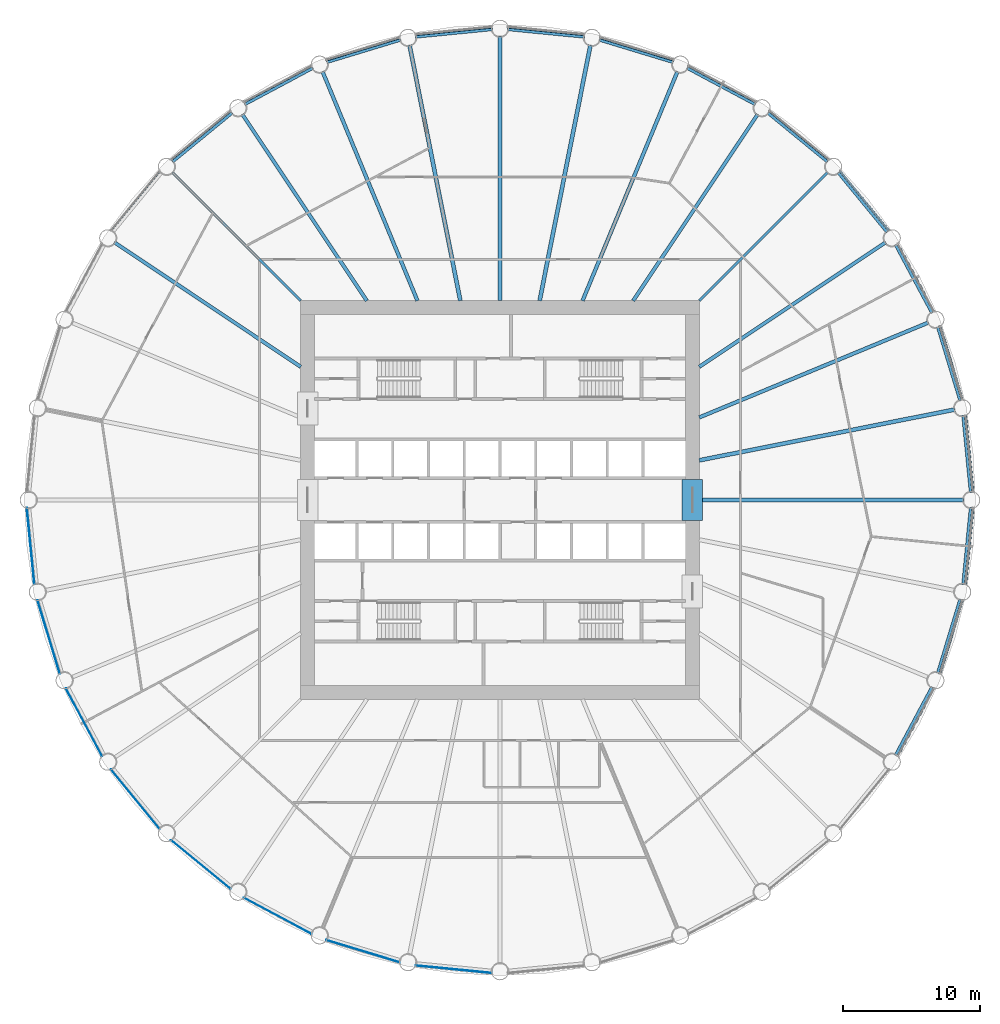
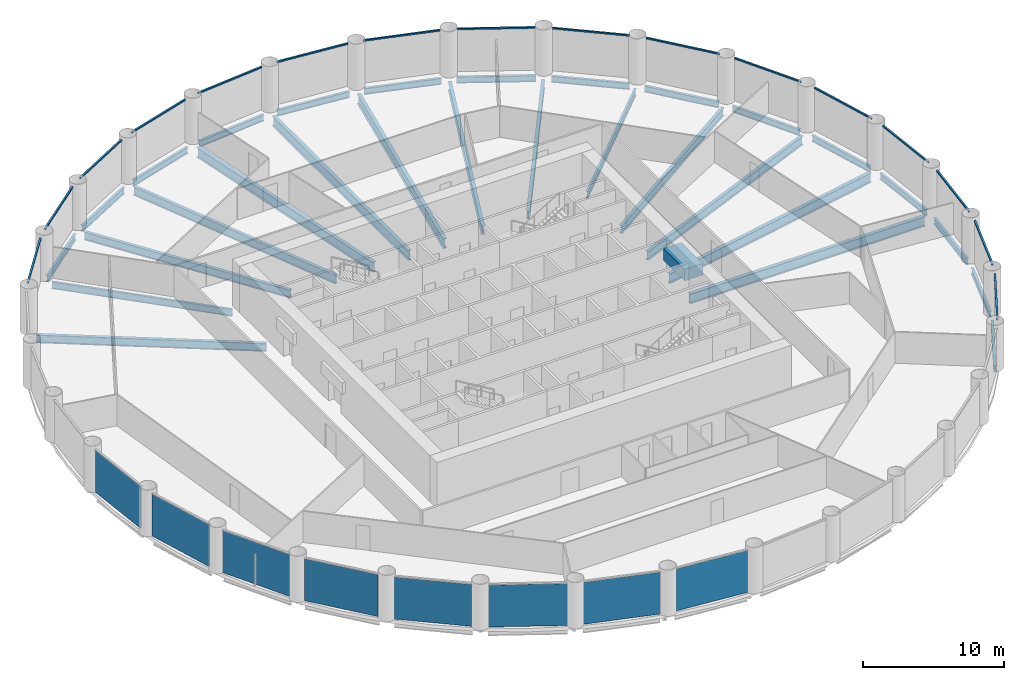
# One storey, part 2 of 8: 30 beams, 16 members, 8 plates, 24 elements without a shape of their own.
"""IFC4 building model written with IfcOpenShell, lengths in metres."""

from ifc_helpers import new_model, si_unit, direction, frame, origin, origin_2d, place, context, subcontext, project, spatial, rectangle, i_section, extrude, material, layer, layer_set, material_profile, profile_set, type_object, element, aggregate, save


model = new_model("IFC4")

# Units and contexts
model_context = context("Model", 3, precision=1e-05, world=origin(), true_north=direction((0.0, 1.0)))
body_context = subcontext(model_context, "Body", "Model", "MODEL_VIEW")
ifc_project = project(units=[si_unit("LENGTHUNIT", "METRE"), si_unit("AREAUNIT", "SQUARE_METRE"), si_unit("VOLUMEUNIT", "CUBIC_METRE"), si_unit("PLANEANGLEUNIT", "RADIAN"), si_unit("MASSUNIT", "GRAM", prefix="KILO")], contexts=[model_context])

# Site, building, storey
site_placement = place(None, origin())
site = spatial("IfcSite", under=ifc_project, at=site_placement, CompositionType="ELEMENT")
building_placement = place(site_placement, origin())
building = spatial("IfcBuilding", under=site, at=building_placement, Name="Corvane Civic Tower", CompositionType="ELEMENT")
storey_placement = place(building_placement, frame((0.0, 0.0, 110.5)))
storey = spatial("IfcBuildingStorey", under=building, at=storey_placement, Name="L25", CompositionType="ELEMENT", Elevation=110.5)

# Beams
ifc_material_1 = material(Name="Concrete C70/85", Category="concrete")
ifc_material_profile_1 = material_profile(ifc_material_1, rectangle(XDim=1.5, YDim=1.0, at=origin_2d()), Name="COUPLING BEAM 1500X1000")
ifc_profile_set_1 = profile_set([ifc_material_profile_1], Name="Concrete C70/85")
beam_type_1 = type_object("IfcBeamType", Name="COUPLING BEAM COUPLING BEAM 1500X1000", PredefinedType="BEAM", material=ifc_profile_set_1)
beam_1_placement = place(storey_placement, frame((14.0, -1.5, 2.60009765625), z_axis=(0.0, 1.0, 0.0), x_axis=(-1.0, 0.0, 0.0)))
element("IfcBeam", 1, at=beam_1_placement, inside=storey, type_object=beam_type_1, Name="BM-L25-cpl-CW-LE", PredefinedType="BEAM", context=body_context, shape_type="SweptSolid", body=[
    extrude(rectangle(XDim=1.5, YDim=1.0, at=origin_2d()), origin(), (0.0, 0.0, 1.0), 3.0),
])
ifc_material_2 = material(Name="Steel ASTM A992 Gr 50", Category="steel")
ifc_material_profile_2 = material_profile(ifc_material_2, i_section(OverallWidth=0.209228515625, OverallDepth=0.533447265625, WebThickness=0.01025390625, FlangeThickness=0.015625, at=origin_2d()), Name="W21X62")
ifc_profile_set_2 = profile_set([ifc_material_profile_2], Name="Steel ASTM A992 Gr 50")
beam_type_2 = type_object("IfcBeamType", Name="EDGE BEAM W21X62", PredefinedType="BEAM", material=ifc_profile_set_2)
beam_2_placement = place(storey_placement, frame((0.54736328125, 34.24609375, -0.566650390625), z_axis=(0.995184368522, -0.098020776625, 0.0), x_axis=(0.098020776625, 0.995184368522, 0.0)))
element("IfcBeam", 2, at=beam_2_placement, inside=storey, type_object=beam_type_2, Name="BM-L25-E01", PredefinedType="BEAM", context=body_context, shape_type="SweptSolid", body=[
    extrude(i_section(OverallWidth=0.209228515625, OverallDepth=0.533447265625, WebThickness=0.01025390625, FlangeThickness=0.015625, at=origin_2d()), origin(), (0.0, 0.0, 1.0), 5.6240234375),
])
beam_3_placement = place(storey_placement, frame((7.218017578125, 33.481201171875, -0.566650390625), z_axis=(0.956936367498, -0.290297758448, 0.0), x_axis=(0.290297758448, 0.956936367498, 0.0)))
element("IfcBeam", 3, at=beam_3_placement, inside=storey, type_object=beam_type_2, Name="BM-L25-E02", PredefinedType="BEAM", context=body_context, shape_type="SweptSolid", body=[
    extrude(i_section(OverallWidth=0.209228515625, OverallDepth=0.533447265625, WebThickness=0.01025390625, FlangeThickness=0.015625, at=origin_2d()), origin(), (0.0, 0.0, 1.0), 5.623779296875),
])
for number, where, z_axis, x_axis, name in (
    (4, (13.611083984375, 31.4296875, -0.566650390625), (0.88192357867, -0.471392407008, 0.0), (0.471392407008, 0.88192357867, 0.0), "BM-L25-E03"),
    (5, (19.481201171875, 28.17041015625, -0.566650390625), (0.773006775372, -0.634397765782, 0.0), (0.634397765782, 0.773006775372, 0.0), "BM-L25-E04"),
    (6, (24.6025390625, 23.82861328125, -0.566650390625), (0.634397765782, -0.773006775372, 0.0), (0.773006775372, 0.634397765782, 0.0), "BM-L25-E05"),
    (7, (28.778564453125, 18.571044921875, -0.566650390625), (0.471392407008, -0.88192357867, 0.0), (0.88192357867, 0.471392407008, 0.0), "BM-L25-E06"),
):
    element("IfcBeam", number, at=place(storey_placement, frame(where, z_axis=z_axis, x_axis=x_axis)), inside=storey, type_object=beam_type_2, Name=name, PredefinedType="BEAM", context=body_context, shape_type="SweptSolid", body=[
        extrude(i_section(OverallWidth=0.209228515625, OverallDepth=0.533447265625, WebThickness=0.01025390625, FlangeThickness=0.015625, at=origin_2d()), origin(), (0.0, 0.0, 1.0), 5.6240234375),
    ])
beam_4_placement = place(storey_placement, frame((31.8486328125, 12.599609375, -0.566650390625), z_axis=(0.290297758448, -0.956936367498, 0.0), x_axis=(0.956936367498, 0.290297758448, 0.0)))
element("IfcBeam", 8, at=beam_4_placement, inside=storey, type_object=beam_type_2, Name="BM-L25-E07", PredefinedType="BEAM", context=body_context, shape_type="SweptSolid", body=[
    extrude(i_section(OverallWidth=0.209228515625, OverallDepth=0.533447265625, WebThickness=0.01025390625, FlangeThickness=0.015625, at=origin_2d()), origin(), (0.0, 0.0, 1.0), 5.623779296875),
])
for number, where, z_axis, x_axis, name in (
    (9, (33.69482421875, 6.144287109375, -0.566650390625), (0.098020776625, -0.995184368522, 0.0), (0.995184368522, 0.098020776625, 0.0), "BM-L25-E08"),
    (10, (34.24609375, -0.54736328125, -0.566650390625), (-0.098020776625, -0.995184368522, 0.0), (0.995184368522, -0.098020776625, 0.0), "BM-L25-E09"),
):
    element("IfcBeam", number, at=place(storey_placement, frame(where, z_axis=z_axis, x_axis=x_axis)), inside=storey, type_object=beam_type_2, Name=name, PredefinedType="BEAM", context=body_context, shape_type="SweptSolid", body=[
        extrude(i_section(OverallWidth=0.209228515625, OverallDepth=0.533447265625, WebThickness=0.01025390625, FlangeThickness=0.015625, at=origin_2d()), origin(), (0.0, 0.0, 1.0), 5.6240234375),
    ])
beam_5_placement = place(storey_placement, frame((33.481201171875, -7.218017578125, -0.566650390625), z_axis=(-0.290297758448, -0.956936367498, 0.0), x_axis=(0.956936367498, -0.290297758448, 0.0)))
element("IfcBeam", 11, at=beam_5_placement, inside=storey, type_object=beam_type_2, Name="BM-L25-E10", PredefinedType="BEAM", context=body_context, shape_type="SweptSolid", body=[
    extrude(i_section(OverallWidth=0.209228515625, OverallDepth=0.533447265625, WebThickness=0.01025390625, FlangeThickness=0.015625, at=origin_2d()), origin(), (0.0, 0.0, 1.0), 5.623779296875),
])
for number, where, z_axis, x_axis, name in (
    (12, (31.4296875, -13.611083984375, -0.566650390625), (-0.471392407008, -0.88192357867, 0.0), (0.88192357867, -0.471392407008, 0.0), "BM-L25-E11"),
    (13, (-23.82861328125, 24.6025390625, -0.566650390625), (0.773006775372, 0.634397765782, 0.0), (-0.634397765782, 0.773006775372, 0.0), "BM-L25-E29"),
    (14, (-18.571044921875, 28.778564453125, -0.566650390625), (0.88192357867, 0.471392407008, 0.0), (-0.471392407008, 0.88192357867, 0.0), "BM-L25-E30"),
):
    element("IfcBeam", number, at=place(storey_placement, frame(where, z_axis=z_axis, x_axis=x_axis)), inside=storey, type_object=beam_type_2, Name=name, PredefinedType="BEAM", context=body_context, shape_type="SweptSolid", body=[
        extrude(i_section(OverallWidth=0.209228515625, OverallDepth=0.533447265625, WebThickness=0.01025390625, FlangeThickness=0.015625, at=origin_2d()), origin(), (0.0, 0.0, 1.0), 5.6240234375),
    ])
beam_6_placement = place(storey_placement, frame((-12.599609375, 31.8486328125, -0.566650390625), z_axis=(0.956936367498, 0.290297758448, 0.0), x_axis=(-0.290297758448, 0.956936367498, 0.0)))
element("IfcBeam", 15, at=beam_6_placement, inside=storey, type_object=beam_type_2, Name="BM-L25-E31", PredefinedType="BEAM", context=body_context, shape_type="SweptSolid", body=[
    extrude(i_section(OverallWidth=0.209228515625, OverallDepth=0.533447265625, WebThickness=0.01025390625, FlangeThickness=0.015625, at=origin_2d()), origin(), (0.0, 0.0, 1.0), 5.623779296875),
])
beam_7_placement = place(storey_placement, frame((-6.144287109375, 33.69482421875, -0.566650390625), z_axis=(0.995184368522, 0.098020776625, 0.0), x_axis=(-0.098020776625, 0.995184368522, 0.0)))
element("IfcBeam", 16, at=beam_7_placement, inside=storey, type_object=beam_type_2, Name="BM-L25-E32", PredefinedType="BEAM", context=body_context, shape_type="SweptSolid", body=[
    extrude(i_section(OverallWidth=0.209228515625, OverallDepth=0.533447265625, WebThickness=0.01025390625, FlangeThickness=0.015625, at=origin_2d()), origin(), (0.0, 0.0, 1.0), 5.6240234375),
])
ifc_material_3 = material(Name="Steel ASTM A992 Gr 50", Category="steel")
ifc_material_profile_3 = material_profile(ifc_material_3, i_section(OverallWidth=0.177978515625, OverallDepth=0.599365234375, WebThickness=0.010009765625, FlangeThickness=0.012939453125, at=origin_2d()), Name="W24X55")
ifc_profile_set_3 = profile_set([ifc_material_profile_3], Name="Steel ASTM A992 Gr 50")
beam_type_3 = type_object("IfcBeamType", Name="FLOOR GIRDER W24X55", PredefinedType="BEAM", material=ifc_profile_set_3)
for number, where, z_axis, x_axis, name in (
    (17, (14.5, 14.5, -0.599609375), (0.707106781187, 0.707106781187, 0.0), (-0.707106781187, 0.707106781187, 0.0), "BM-L25-G05"),
    (18, (-14.5, 14.5, -0.599609375), (-0.707106781187, 0.707106781187, 0.0), (-0.707106781187, -0.707106781187, 0.0), "BM-L25-G29"),
):
    element("IfcBeam", number, at=place(storey_placement, frame(where, z_axis=z_axis, x_axis=x_axis)), inside=storey, type_object=beam_type_3, Name=name, PredefinedType="BEAM", context=body_context, shape_type="SweptSolid", body=[
        extrude(i_section(OverallWidth=0.177978515625, OverallDepth=0.599365234375, WebThickness=0.010009765625, FlangeThickness=0.012939453125, at=origin_2d()), origin(), (0.0, 0.0, 1.0), 13.24365234375),
    ])
ifc_material_4 = material(Name="Steel ASTM A992 Gr 50", Category="steel")
ifc_material_profile_4 = material_profile(ifc_material_4, i_section(OverallWidth=0.256591796875, OverallDepth=0.693359375, WebThickness=0.014404296875, FlangeThickness=0.023681640625, at=origin_2d()), Name="W27X114")
ifc_profile_set_4 = profile_set([ifc_material_profile_4], Name="Steel ASTM A992 Gr 50")
beam_type_4 = type_object("IfcBeamType", Name="FLOOR GIRDER W27X114", PredefinedType="BEAM", material=ifc_profile_set_4)
for number, where, z_axis, x_axis, name in (
    (19, (9.6884765625, 14.5, -0.646728515625), (0.555577235054, 0.83146493365, 0.0), (-0.83146493365, 0.555577235054, 0.0), "BM-L25-G04"),
    (20, (14.5, 9.6884765625, -0.646728515625), (0.83146493365, 0.555577235054, 0.0), (-0.555577235054, 0.83146493365, 0.0), "BM-L25-G06"),
    (21, (-14.5, 9.6884765625, -0.646728515625), (-0.83146493365, 0.555577235054, 0.0), (-0.555577235054, -0.83146493365, 0.0), "BM-L25-G28"),
    (22, (-9.6884765625, 14.5, -0.646728515625), (-0.555577235054, 0.83146493365, 0.0), (-0.83146493365, -0.555577235054, 0.0), "BM-L25-G30"),
):
    element("IfcBeam", number, at=place(storey_placement, frame(where, z_axis=z_axis, x_axis=x_axis)), inside=storey, type_object=beam_type_4, Name=name, PredefinedType="BEAM", context=body_context, shape_type="SweptSolid", body=[
        extrude(i_section(OverallWidth=0.256591796875, OverallDepth=0.693359375, WebThickness=0.014404296875, FlangeThickness=0.023681640625, at=origin_2d()), origin(), (0.0, 0.0, 1.0), 16.31103515625),
    ])
ifc_material_5 = material(Name="Steel ASTM A992 Gr 50", Category="steel")
ifc_material_profile_5 = material_profile(ifc_material_5, i_section(OverallWidth=0.2666015625, OverallDepth=0.7568359375, WebThickness=0.013916015625, FlangeThickness=0.019287109375, at=origin_2d()), Name="W30X108")
ifc_profile_set_5 = profile_set([ifc_material_profile_5], Name="Steel ASTM A992 Gr 50")
beam_type_5 = type_object("IfcBeamType", Name="FLOOR GIRDER W30X108", PredefinedType="BEAM", material=ifc_profile_set_5)
for number, where, z_axis, x_axis, name in (
    (23, (6.006103515625, 14.5, -0.678466796875), (0.382681797504, 0.923880209691, 0.0), (-0.923880209691, 0.382681797504, 0.0), "BM-L25-G03"),
    (24, (14.5, 6.006103515625, -0.678466796875), (0.923880209691, 0.382681797504, 0.0), (-0.382681797504, 0.923880209691, 0.0), "BM-L25-G07"),
    (25, (-6.006103515625, 14.5, -0.678466796875), (-0.382681797504, 0.923880209691, 0.0), (-0.923880209691, -0.382681797504, 0.0), "BM-L25-G31"),
):
    element("IfcBeam", number, at=place(storey_placement, frame(where, z_axis=z_axis, x_axis=x_axis)), inside=storey, type_object=beam_type_5, Name=name, PredefinedType="BEAM", context=body_context, shape_type="SweptSolid", body=[
        extrude(i_section(OverallWidth=0.2666015625, OverallDepth=0.7568359375, WebThickness=0.013916015625, FlangeThickness=0.019287109375, at=origin_2d()), origin(), (0.0, 0.0, 1.0), 18.05517578125),
    ])
ifc_material_6 = material(Name="Steel ASTM A992 Gr 50", Category="steel")
ifc_material_profile_6 = material_profile(ifc_material_6, i_section(OverallWidth=0.2919921875, OverallDepth=0.8583984375, WebThickness=0.01708984375, FlangeThickness=0.031005859375, at=origin_2d()), Name="W33X169")
ifc_profile_set_6 = profile_set([ifc_material_profile_6], Name="Steel ASTM A992 Gr 50")
beam_type_6 = type_object("IfcBeamType", Name="FLOOR GIRDER W33X169", PredefinedType="BEAM", material=ifc_profile_set_6)
beam_8_placement = place(storey_placement, frame((0.0, 14.5, -0.729248046875), z_axis=(0.0, 1.0, 0.0), x_axis=(-1.0, 0.0, 0.0)))
element("IfcBeam", 26, at=beam_8_placement, inside=storey, type_object=beam_type_6, Name="BM-L25-G01", PredefinedType="BEAM", context=body_context, shape_type="SweptSolid", body=[
    extrude(i_section(OverallWidth=0.2919921875, OverallDepth=0.8583984375, WebThickness=0.01708984375, FlangeThickness=0.031005859375, at=origin_2d()), origin(), (0.0, 0.0, 1.0), 19.25),
])
for number, where, z_axis, x_axis, name in (
    (27, (2.88427734375, 14.5, -0.729248046875), (0.195083745652, 0.9807865885, 0.0), (-0.9807865885, 0.195083745652, 0.0), "BM-L25-G02"),
    (28, (14.5, 2.88427734375, -0.729248046875), (0.9807865885, 0.195083745652, 0.0), (-0.195083745652, 0.9807865885, 0.0), "BM-L25-G08"),
):
    element("IfcBeam", number, at=place(storey_placement, frame(where, z_axis=z_axis, x_axis=x_axis)), inside=storey, type_object=beam_type_6, Name=name, PredefinedType="BEAM", context=body_context, shape_type="SweptSolid", body=[
        extrude(i_section(OverallWidth=0.2919921875, OverallDepth=0.8583984375, WebThickness=0.01708984375, FlangeThickness=0.031005859375, at=origin_2d()), origin(), (0.0, 0.0, 1.0), 18.966064453125),
    ])
beam_9_placement = place(storey_placement, frame((14.5, 0.0, -0.729248046875), z_axis=(1.0, 0.0, 0.0), x_axis=(0.0, 1.0, 0.0)))
element("IfcBeam", 29, at=beam_9_placement, inside=storey, type_object=beam_type_6, Name="BM-L25-G09", PredefinedType="BEAM", context=body_context, shape_type="SweptSolid", body=[
    extrude(i_section(OverallWidth=0.2919921875, OverallDepth=0.8583984375, WebThickness=0.01708984375, FlangeThickness=0.031005859375, at=origin_2d()), origin(), (0.0, 0.0, 1.0), 19.25),
])
beam_10_placement = place(storey_placement, frame((-2.88427734375, 14.5, -0.729248046875), z_axis=(-0.195083745652, 0.9807865885, 0.0), x_axis=(-0.9807865885, -0.195083745652, 0.0)))
element("IfcBeam", 30, at=beam_10_placement, inside=storey, type_object=beam_type_6, Name="BM-L25-G32", PredefinedType="BEAM", context=body_context, shape_type="SweptSolid", body=[
    extrude(i_section(OverallWidth=0.2919921875, OverallDepth=0.8583984375, WebThickness=0.01708984375, FlangeThickness=0.031005859375, at=origin_2d()), origin(), (0.0, 0.0, 1.0), 18.966064453125),
])

# Curtain wall, member
ifc_material_7 = material(Name="Anodised aluminium bronze", Category="aluminium")
curtain_wall_type = type_object("IfcCurtainWallType", Name="TOWER CW-T1 STICK CURTAIN WALL", PredefinedType="NOTDEFINED", material=ifc_material_7)
curtain_wall_1_placement = place(storey_placement, origin())
curtain_wall_1 = element("IfcCurtainWall", 31, at=curtain_wall_1_placement, inside=storey, type_object=curtain_wall_type, Name="Curtain wall CW-T1 L25 bay 01", PredefinedType="NOTDEFINED")
ifc_material_8 = material(Name="Anodised aluminium bronze", Category="aluminium")
ifc_material_profile_7 = material_profile(ifc_material_8, rectangle(XDim=0.139892578125, YDim=0.1201171875, at=origin_2d()), Name="TOWER CW-T1 TRANSOM 140x120")
ifc_profile_set_7 = profile_set([ifc_material_profile_7], Name="Anodised aluminium bronze")
member_type = type_object("IfcMemberType", Name="TOWER CW-T1 TRANSOM 140x120", PredefinedType="USERDEFINED", material=ifc_profile_set_7)
member_1_placement = place(storey_placement, frame((0.58349609375, 34.422607421875, 3.68994140625), z_axis=(0.995179807033, -0.098067077419, 0.0), x_axis=(0.098067077419, 0.995179807033, 0.0)))
member_1 = element("IfcMember", 32, at=member_1_placement, type_object=member_type, Name="Transom CW-T1 L25 01.1", ObjectType="TRANSOM", PredefinedType="USERDEFINED", context=body_context, shape_type="SweptSolid", body=[
    extrude(rectangle(XDim=0.139892578125, YDim=0.1201171875, at=origin_2d()), origin(), (0.0, 0.0, 1.0), 5.58642578125),
])
aggregate(curtain_wall_1, [member_1])

curtain_wall_2_placement = place(storey_placement, origin())
curtain_wall_2 = element("IfcCurtainWall", 33, at=curtain_wall_2_placement, inside=storey, type_object=curtain_wall_type, Name="Curtain wall CW-T1 L25 bay 02", PredefinedType="NOTDEFINED")
member_2_placement = place(storey_placement, frame((7.287841796875, 33.647216796875, 3.68994140625), z_axis=(0.956944977029, -0.290269376509, 0.0), x_axis=(0.290269376509, 0.956944977029, 0.0)))
member_2 = element("IfcMember", 34, at=member_2_placement, type_object=member_type, Name="Transom CW-T1 L25 02.1", ObjectType="TRANSOM", PredefinedType="USERDEFINED", context=body_context, shape_type="SweptSolid", body=[
    extrude(rectangle(XDim=0.139892578125, YDim=0.1201171875, at=origin_2d()), origin(), (0.0, 0.0, 1.0), 5.58642578125),
])
aggregate(curtain_wall_2, [member_2])

curtain_wall_3_placement = place(storey_placement, origin())
curtain_wall_3 = element("IfcCurtainWall", 35, at=curtain_wall_3_placement, inside=storey, type_object=curtain_wall_type, Name="Curtain wall CW-T1 L25 bay 03", PredefinedType="NOTDEFINED")
member_3_placement = place(storey_placement, frame((13.712158203125, 31.5791015625, 3.68994140625), z_axis=(0.881920705407, -0.47139778253, 0.0), x_axis=(0.47139778253, 0.881920705407, 0.0)))
member_3 = element("IfcMember", 36, at=member_3_placement, type_object=member_type, Name="Transom CW-T1 L25 03.1", ObjectType="TRANSOM", PredefinedType="USERDEFINED", context=body_context, shape_type="SweptSolid", body=[
    extrude(rectangle(XDim=0.139892578125, YDim=0.1201171875, at=origin_2d()), origin(), (0.0, 0.0, 1.0), 5.586669921875),
])
aggregate(curtain_wall_3, [member_3])

curtain_wall_4_placement = place(storey_placement, origin())
curtain_wall_4 = element("IfcCurtainWall", 37, at=curtain_wall_4_placement, inside=storey, type_object=curtain_wall_type, Name="Curtain wall CW-T1 L25 bay 04", PredefinedType="NOTDEFINED")
member_4_placement = place(storey_placement, frame((19.609619140625, 28.297119140625, 3.68994140625), z_axis=(0.772996431642, -0.634410369295, 0.0), x_axis=(0.634410369295, 0.772996431642, 0.0)))
member_4 = element("IfcMember", 38, at=member_4_placement, type_object=member_type, Name="Transom CW-T1 L25 04.1", ObjectType="TRANSOM", PredefinedType="USERDEFINED", context=body_context, shape_type="SweptSolid", body=[
    extrude(rectangle(XDim=0.139892578125, YDim=0.1201171875, at=origin_2d()), origin(), (0.0, 0.0, 1.0), 5.586181640625),
])
aggregate(curtain_wall_4, [member_4])

curtain_wall_5_placement = place(storey_placement, origin())
curtain_wall_5 = element("IfcCurtainWall", 39, at=curtain_wall_5_placement, inside=storey, type_object=curtain_wall_type, Name="Curtain wall CW-T1 L25 bay 05", PredefinedType="NOTDEFINED")
member_5_placement = place(storey_placement, frame((24.753173828125, 23.927734375, 3.68994140625), z_axis=(0.634410369295, -0.772996431642, 0.0), x_axis=(0.772996431642, 0.634410369295, 0.0)))
member_5 = element("IfcMember", 40, at=member_5_placement, type_object=member_type, Name="Transom CW-T1 L25 05.1", ObjectType="TRANSOM", PredefinedType="USERDEFINED", context=body_context, shape_type="SweptSolid", body=[
    extrude(rectangle(XDim=0.139892578125, YDim=0.1201171875, at=origin_2d()), origin(), (0.0, 0.0, 1.0), 5.586181640625),
])
aggregate(curtain_wall_5, [member_5])

curtain_wall_6_placement = place(storey_placement, origin())
curtain_wall_6 = element("IfcCurtainWall", 41, at=curtain_wall_6_placement, inside=storey, type_object=curtain_wall_type, Name="Curtain wall CW-T1 L25 bay 06", PredefinedType="NOTDEFINED")
member_6_placement = place(storey_placement, frame((28.945556640625, 18.63916015625, 3.68994140625), z_axis=(0.47139778253, -0.881920705407, 0.0), x_axis=(0.881920705407, 0.47139778253, 0.0)))
member_6 = element("IfcMember", 42, at=member_6_placement, type_object=member_type, Name="Transom CW-T1 L25 06.1", ObjectType="TRANSOM", PredefinedType="USERDEFINED", context=body_context, shape_type="SweptSolid", body=[
    extrude(rectangle(XDim=0.139892578125, YDim=0.1201171875, at=origin_2d()), origin(), (0.0, 0.0, 1.0), 5.586669921875),
])
aggregate(curtain_wall_6, [member_6])

curtain_wall_7_placement = place(storey_placement, origin())
curtain_wall_7 = element("IfcCurtainWall", 43, at=curtain_wall_7_placement, inside=storey, type_object=curtain_wall_type, Name="Curtain wall CW-T1 L25 bay 07", PredefinedType="NOTDEFINED")
member_7_placement = place(storey_placement, frame((32.025634765625, 12.6337890625, 3.68994140625), z_axis=(0.290269376509, -0.956944977029, 0.0), x_axis=(0.956944977029, 0.290269376509, 0.0)))
member_7 = element("IfcMember", 44, at=member_7_placement, type_object=member_type, Name="Transom CW-T1 L25 07.1", ObjectType="TRANSOM", PredefinedType="USERDEFINED", context=body_context, shape_type="SweptSolid", body=[
    extrude(rectangle(XDim=0.139892578125, YDim=0.1201171875, at=origin_2d()), origin(), (0.0, 0.0, 1.0), 5.58642578125),
])
aggregate(curtain_wall_7, [member_7])

curtain_wall_8_placement = place(storey_placement, origin())
curtain_wall_8 = element("IfcCurtainWall", 45, at=curtain_wall_8_placement, inside=storey, type_object=curtain_wall_type, Name="Curtain wall CW-T1 L25 bay 08", PredefinedType="NOTDEFINED")
member_8_placement = place(storey_placement, frame((33.874755859375, 6.14306640625, 3.68994140625), z_axis=(0.098067077419, -0.995179807033, 0.0), x_axis=(0.995179807033, 0.098067077419, 0.0)))
member_8 = element("IfcMember", 46, at=member_8_placement, type_object=member_type, Name="Transom CW-T1 L25 08.1", ObjectType="TRANSOM", PredefinedType="USERDEFINED", context=body_context, shape_type="SweptSolid", body=[
    extrude(rectangle(XDim=0.139892578125, YDim=0.1201171875, at=origin_2d()), origin(), (0.0, 0.0, 1.0), 5.58642578125),
])
aggregate(curtain_wall_8, [member_8])

curtain_wall_9_placement = place(storey_placement, origin())
curtain_wall_9 = element("IfcCurtainWall", 47, at=curtain_wall_9_placement, inside=storey, type_object=curtain_wall_type, Name="Curtain wall CW-T1 L25 bay 09", PredefinedType="NOTDEFINED")
member_9_placement = place(storey_placement, frame((34.422607421875, -0.58349609375, 3.68994140625), z_axis=(-0.098067077419, -0.995179807033, 0.0), x_axis=(0.995179807033, -0.098067077419, 0.0)))
member_9 = element("IfcMember", 48, at=member_9_placement, type_object=member_type, Name="Transom CW-T1 L25 09.1", ObjectType="TRANSOM", PredefinedType="USERDEFINED", context=body_context, shape_type="SweptSolid", body=[
    extrude(rectangle(XDim=0.139892578125, YDim=0.1201171875, at=origin_2d()), origin(), (0.0, 0.0, 1.0), 5.58642578125),
])
aggregate(curtain_wall_9, [member_9])

curtain_wall_10_placement = place(storey_placement, origin())
curtain_wall_10 = element("IfcCurtainWall", 49, at=curtain_wall_10_placement, inside=storey, type_object=curtain_wall_type, Name="Curtain wall CW-T1 L25 bay 10", PredefinedType="NOTDEFINED")
member_10_placement = place(storey_placement, frame((33.647216796875, -7.287841796875, 3.68994140625), z_axis=(-0.290269376509, -0.956944977029, 0.0), x_axis=(0.956944977029, -0.290269376509, 0.0)))
member_10 = element("IfcMember", 50, at=member_10_placement, type_object=member_type, Name="Transom CW-T1 L25 10.1", ObjectType="TRANSOM", PredefinedType="USERDEFINED", context=body_context, shape_type="SweptSolid", body=[
    extrude(rectangle(XDim=0.139892578125, YDim=0.1201171875, at=origin_2d()), origin(), (0.0, 0.0, 1.0), 5.58642578125),
])
aggregate(curtain_wall_10, [member_10])

curtain_wall_11_placement = place(storey_placement, origin())
curtain_wall_11 = element("IfcCurtainWall", 51, at=curtain_wall_11_placement, inside=storey, type_object=curtain_wall_type, Name="Curtain wall CW-T1 L25 bay 11", PredefinedType="NOTDEFINED")
member_11_placement = place(storey_placement, frame((31.5791015625, -13.712158203125, 3.68994140625), z_axis=(-0.47139778253, -0.881920705407, 0.0), x_axis=(0.881920705407, -0.47139778253, 0.0)))
member_11 = element("IfcMember", 52, at=member_11_placement, type_object=member_type, Name="Transom CW-T1 L25 11.1", ObjectType="TRANSOM", PredefinedType="USERDEFINED", context=body_context, shape_type="SweptSolid", body=[
    extrude(rectangle(XDim=0.139892578125, YDim=0.1201171875, at=origin_2d()), origin(), (0.0, 0.0, 1.0), 5.586669921875),
])
aggregate(curtain_wall_11, [member_11])

curtain_wall_12_placement = place(storey_placement, origin())
curtain_wall_12 = element("IfcCurtainWall", 53, at=curtain_wall_12_placement, inside=storey, type_object=curtain_wall_type, Name="Curtain wall CW-T1 L25 bay 28", PredefinedType="NOTDEFINED")
member_12_placement = place(storey_placement, frame((-28.297119140625, 19.609619140625, 3.68994140625), z_axis=(0.634410369295, 0.772996431642, 0.0), x_axis=(-0.772996431642, 0.634410369295, 0.0)))
member_12 = element("IfcMember", 54, at=member_12_placement, type_object=member_type, Name="Transom CW-T1 L25 28.1", ObjectType="TRANSOM", PredefinedType="USERDEFINED", context=body_context, shape_type="SweptSolid", body=[
    extrude(rectangle(XDim=0.139892578125, YDim=0.1201171875, at=origin_2d()), origin(), (0.0, 0.0, 1.0), 5.586181640625),
])
aggregate(curtain_wall_12, [member_12])

curtain_wall_13_placement = place(storey_placement, origin())
curtain_wall_13 = element("IfcCurtainWall", 55, at=curtain_wall_13_placement, inside=storey, type_object=curtain_wall_type, Name="Curtain wall CW-T1 L25 bay 29", PredefinedType="NOTDEFINED")
member_13_placement = place(storey_placement, frame((-23.927734375, 24.753173828125, 3.68994140625), z_axis=(0.772996431642, 0.634410369295, 0.0), x_axis=(-0.634410369295, 0.772996431642, 0.0)))
member_13 = element("IfcMember", 56, at=member_13_placement, type_object=member_type, Name="Transom CW-T1 L25 29.1", ObjectType="TRANSOM", PredefinedType="USERDEFINED", context=body_context, shape_type="SweptSolid", body=[
    extrude(rectangle(XDim=0.139892578125, YDim=0.1201171875, at=origin_2d()), origin(), (0.0, 0.0, 1.0), 5.586181640625),
])
aggregate(curtain_wall_13, [member_13])

curtain_wall_14_placement = place(storey_placement, origin())
curtain_wall_14 = element("IfcCurtainWall", 57, at=curtain_wall_14_placement, inside=storey, type_object=curtain_wall_type, Name="Curtain wall CW-T1 L25 bay 30", PredefinedType="NOTDEFINED")
member_14_placement = place(storey_placement, frame((-18.63916015625, 28.945556640625, 3.68994140625), z_axis=(0.881920705407, 0.47139778253, 0.0), x_axis=(-0.47139778253, 0.881920705407, 0.0)))
member_14 = element("IfcMember", 58, at=member_14_placement, type_object=member_type, Name="Transom CW-T1 L25 30.1", ObjectType="TRANSOM", PredefinedType="USERDEFINED", context=body_context, shape_type="SweptSolid", body=[
    extrude(rectangle(XDim=0.139892578125, YDim=0.1201171875, at=origin_2d()), origin(), (0.0, 0.0, 1.0), 5.586669921875),
])
aggregate(curtain_wall_14, [member_14])

curtain_wall_15_placement = place(storey_placement, origin())
curtain_wall_15 = element("IfcCurtainWall", 59, at=curtain_wall_15_placement, inside=storey, type_object=curtain_wall_type, Name="Curtain wall CW-T1 L25 bay 31", PredefinedType="NOTDEFINED")
member_15_placement = place(storey_placement, frame((-12.6337890625, 32.025634765625, 3.68994140625), z_axis=(0.956944977029, 0.290269376509, 0.0), x_axis=(-0.290269376509, 0.956944977029, 0.0)))
member_15 = element("IfcMember", 60, at=member_15_placement, type_object=member_type, Name="Transom CW-T1 L25 31.1", ObjectType="TRANSOM", PredefinedType="USERDEFINED", context=body_context, shape_type="SweptSolid", body=[
    extrude(rectangle(XDim=0.139892578125, YDim=0.1201171875, at=origin_2d()), origin(), (0.0, 0.0, 1.0), 5.58642578125),
])
aggregate(curtain_wall_15, [member_15])

curtain_wall_16_placement = place(storey_placement, origin())
curtain_wall_16 = element("IfcCurtainWall", 61, at=curtain_wall_16_placement, inside=storey, type_object=curtain_wall_type, Name="Curtain wall CW-T1 L25 bay 32", PredefinedType="NOTDEFINED")
member_16_placement = place(storey_placement, frame((-6.14306640625, 33.874755859375, 3.68994140625), z_axis=(0.995179807033, 0.098067077419, 0.0), x_axis=(-0.098067077419, 0.995179807033, 0.0)))
member_16 = element("IfcMember", 62, at=member_16_placement, type_object=member_type, Name="Transom CW-T1 L25 32.1", ObjectType="TRANSOM", PredefinedType="USERDEFINED", context=body_context, shape_type="SweptSolid", body=[
    extrude(rectangle(XDim=0.139892578125, YDim=0.1201171875, at=origin_2d()), origin(), (0.0, 0.0, 1.0), 5.58642578125),
])
aggregate(curtain_wall_16, [member_16])

# Curtain wall, plate
curtain_wall_17_placement = place(storey_placement, origin())
curtain_wall_17 = element("IfcCurtainWall", 63, at=curtain_wall_17_placement, inside=storey, type_object=curtain_wall_type, Name="Curtain wall CW-T1 L25 bay 17", PredefinedType="NOTDEFINED")
ifc_material_9 = material(Name="Tinted glass", Category="glass")
ifc_layer = layer(ifc_material_9, 0.035888671875)
ifc_layer_set = layer_set([ifc_layer], Name="Tinted glass")
plate_type = type_object("IfcPlateType", Name="TOWER CW-T1 PANEL IGU36", PredefinedType="CURTAIN_PANEL", material=ifc_layer_set)
plate_1_placement = place(storey_placement, frame((-3.36328125, -34.148681640625, 0.0), z_axis=(0.0, 0.0, 1.0), x_axis=(-0.995183788169, 0.098026668644, 0.0)))
plate_1 = element("IfcPlate", 64, at=plate_1_placement, type_object=plate_type, Name="Glass panel CW-T1 L25 17.1", PredefinedType="CURTAIN_PANEL", context=body_context, shape_type="SweptSolid", body=[
    extrude(rectangle(XDim=5.58642578125, YDim=0.035888671875, at=origin_2d()), origin(), (0.0, 0.0, 1.0), 3.6298828125),
])
aggregate(curtain_wall_17, [plate_1])

curtain_wall_18_placement = place(storey_placement, origin())
curtain_wall_18 = element("IfcCurtainWall", 65, at=curtain_wall_18_placement, inside=storey, type_object=curtain_wall_type, Name="Curtain wall CW-T1 L25 bay 18", PredefinedType="NOTDEFINED")
plate_2_placement = place(storey_placement, frame((-9.9609375, -32.83642578125, 0.0), z_axis=(0.0, 0.0, 1.0), x_axis=(-0.956945991488, 0.290266032073, 0.0)))
plate_2 = element("IfcPlate", 66, at=plate_2_placement, type_object=plate_type, Name="Glass panel CW-T1 L25 18.1", PredefinedType="CURTAIN_PANEL", context=body_context, shape_type="SweptSolid", body=[
    extrude(rectangle(XDim=5.58642578125, YDim=0.035888671875, at=origin_2d()), origin(), (0.0, 0.0, 1.0), 3.6298828125),
])
aggregate(curtain_wall_18, [plate_2])

curtain_wall_19_placement = place(storey_placement, origin())
curtain_wall_19 = element("IfcCurtainWall", 67, at=curtain_wall_19_placement, inside=storey, type_object=curtain_wall_type, Name="Curtain wall CW-T1 L25 bay 19", PredefinedType="NOTDEFINED")
plate_3_placement = place(storey_placement, frame((-16.175537109375, -30.26220703125, 0.0), z_axis=(0.0, 0.0, 1.0), x_axis=(-0.881923642976, 0.471392286699, 0.0)))
plate_3 = element("IfcPlate", 68, at=plate_3_placement, type_object=plate_type, Name="Glass panel CW-T1 L25 19.1", PredefinedType="CURTAIN_PANEL", context=body_context, shape_type="SweptSolid", body=[
    extrude(rectangle(XDim=5.586669921875, YDim=0.035888671875, at=origin_2d()), origin(), (0.0, 0.0, 1.0), 3.6298828125),
])
aggregate(curtain_wall_19, [plate_3])

curtain_wall_20_placement = place(storey_placement, origin())
curtain_wall_20 = element("IfcCurtainWall", 69, at=curtain_wall_20_placement, inside=storey, type_object=curtain_wall_type, Name="Curtain wall CW-T1 L25 bay 20", PredefinedType="NOTDEFINED")
plate_4_placement = place(storey_placement, frame((-21.7685546875, -26.525146484375, 0.0), z_axis=(0.0, 0.0, 1.0), x_axis=(-0.773013419843, 0.63438966948, 0.0)))
plate_4 = element("IfcPlate", 70, at=plate_4_placement, type_object=plate_type, Name="Glass panel CW-T1 L25 20.1", PredefinedType="CURTAIN_PANEL", context=body_context, shape_type="SweptSolid", body=[
    extrude(rectangle(XDim=5.58642578125, YDim=0.035888671875, at=origin_2d()), origin(), (0.0, 0.0, 1.0), 3.6298828125),
])
aggregate(curtain_wall_20, [plate_4])

curtain_wall_21_placement = place(storey_placement, origin())
curtain_wall_21 = element("IfcCurtainWall", 71, at=curtain_wall_21_placement, inside=storey, type_object=curtain_wall_type, Name="Curtain wall CW-T1 L25 bay 21", PredefinedType="NOTDEFINED")
plate_5_placement = place(storey_placement, frame((-26.525146484375, -21.7685546875, 0.0), z_axis=(0.0, 0.0, 1.0), x_axis=(-0.63438966948, 0.773013419843, 0.0)))
plate_5 = element("IfcPlate", 72, at=plate_5_placement, type_object=plate_type, Name="Glass panel CW-T1 L25 21.1", PredefinedType="CURTAIN_PANEL", context=body_context, shape_type="SweptSolid", body=[
    extrude(rectangle(XDim=5.58642578125, YDim=0.035888671875, at=origin_2d()), origin(), (0.0, 0.0, 1.0), 3.6298828125),
])
aggregate(curtain_wall_21, [plate_5])

curtain_wall_22_placement = place(storey_placement, origin())
curtain_wall_22 = element("IfcCurtainWall", 73, at=curtain_wall_22_placement, inside=storey, type_object=curtain_wall_type, Name="Curtain wall CW-T1 L25 bay 22", PredefinedType="NOTDEFINED")
plate_6_placement = place(storey_placement, frame((-30.26220703125, -16.175537109375, 0.0), z_axis=(0.0, 0.0, 1.0), x_axis=(-0.471392286699, 0.881923642976, 0.0)))
plate_6 = element("IfcPlate", 74, at=plate_6_placement, type_object=plate_type, Name="Glass panel CW-T1 L25 22.1", PredefinedType="CURTAIN_PANEL", context=body_context, shape_type="SweptSolid", body=[
    extrude(rectangle(XDim=5.586669921875, YDim=0.035888671875, at=origin_2d()), origin(), (0.0, 0.0, 1.0), 3.6298828125),
])
aggregate(curtain_wall_22, [plate_6])

curtain_wall_23_placement = place(storey_placement, origin())
curtain_wall_23 = element("IfcCurtainWall", 75, at=curtain_wall_23_placement, inside=storey, type_object=curtain_wall_type, Name="Curtain wall CW-T1 L25 bay 23", PredefinedType="NOTDEFINED")
plate_7_placement = place(storey_placement, frame((-32.83642578125, -9.9609375, 0.0), z_axis=(0.0, 0.0, 1.0), x_axis=(-0.290266032073, 0.956945991488, 0.0)))
plate_7 = element("IfcPlate", 76, at=plate_7_placement, type_object=plate_type, Name="Glass panel CW-T1 L25 23.1", PredefinedType="CURTAIN_PANEL", context=body_context, shape_type="SweptSolid", body=[
    extrude(rectangle(XDim=5.58642578125, YDim=0.035888671875, at=origin_2d()), origin(), (0.0, 0.0, 1.0), 3.6298828125),
])
aggregate(curtain_wall_23, [plate_7])

curtain_wall_24_placement = place(storey_placement, origin())
curtain_wall_24 = element("IfcCurtainWall", 77, at=curtain_wall_24_placement, inside=storey, type_object=curtain_wall_type, Name="Curtain wall CW-T1 L25 bay 24", PredefinedType="NOTDEFINED")
plate_8_placement = place(storey_placement, frame((-34.148681640625, -3.36328125, 0.0), z_axis=(0.0, 0.0, 1.0), x_axis=(-0.098026668644, 0.995183788169, 0.0)))
plate_8 = element("IfcPlate", 78, at=plate_8_placement, type_object=plate_type, Name="Glass panel CW-T1 L25 24.1", PredefinedType="CURTAIN_PANEL", context=body_context, shape_type="SweptSolid", body=[
    extrude(rectangle(XDim=5.58642578125, YDim=0.035888671875, at=origin_2d()), origin(), (0.0, 0.0, 1.0), 3.6298828125),
])
aggregate(curtain_wall_24, [plate_8])

save(model, "model.ifc")
